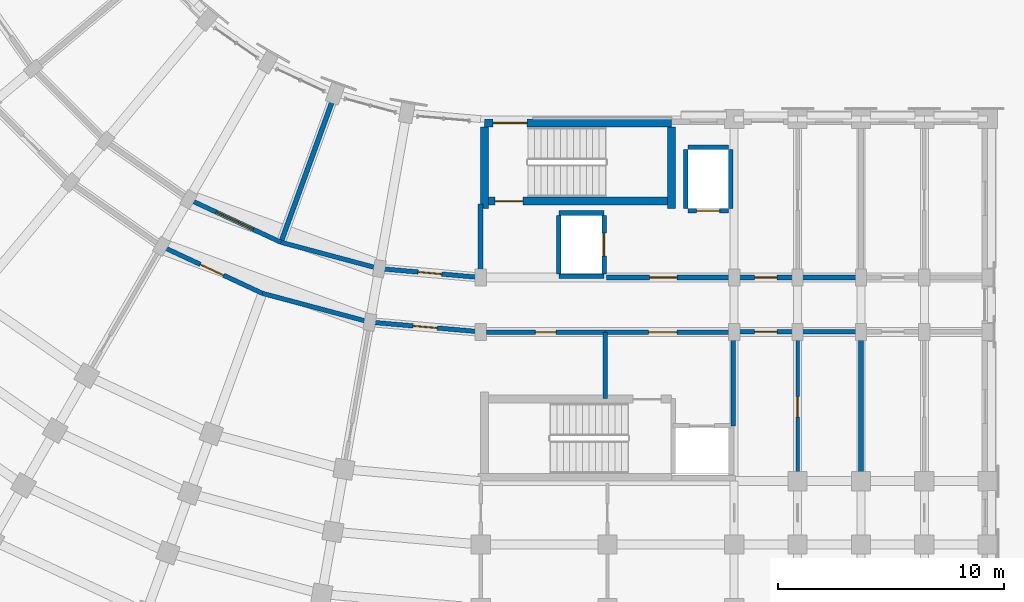
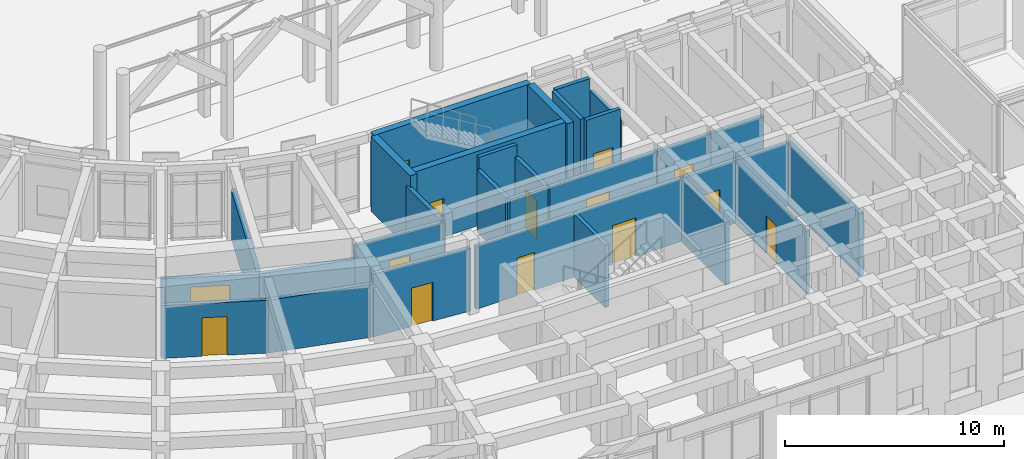
# One storey, part 90 of 135: 31 walls, 14 doors, 14 openings.
"""IFC4 building model written with IfcOpenShell, lengths in metres."""

from ifc_helpers import new_model, si_unit, direction, frame, frame_2d, origin, place, context, subcontext, project, spatial, rectangle, extrude, material, layer, layer_set, type_object, element, fill, save


model = new_model("IFC4")

# Units and contexts
model_context = context("Model", 3, precision=1e-05, world=origin(), true_north=direction((0.0, 1.0)))
body_context = subcontext(model_context, "Body", "Model", "MODEL_VIEW")
ifc_project = project(units=[si_unit("LENGTHUNIT", "METRE"), si_unit("AREAUNIT", "SQUARE_METRE"), si_unit("VOLUMEUNIT", "CUBIC_METRE"), si_unit("PLANEANGLEUNIT", "RADIAN"), si_unit("MASSUNIT", "GRAM", prefix="KILO")], contexts=[model_context])

# Site, building, storey
site_placement = place(None, origin())
site = spatial("IfcSite", under=ifc_project, at=site_placement, CompositionType="ELEMENT")
building_placement = place(site_placement, origin())
building = spatial("IfcBuilding", under=site, at=building_placement, Name="Kiranvali Square Residences", CompositionType="ELEMENT")
storey_placement = place(building_placement, origin())
storey = spatial("IfcBuildingStorey", under=building, at=storey_placement, Name="L00", CompositionType="ELEMENT", Elevation=0.0)

# Wall, opening, door
ifc_material_1 = material(Name="Autoclaved aerated concrete blockwork masonry", Category="masonry")
ifc_layer_1 = layer(ifc_material_1, 0.199951171875)
ifc_layer_set_1 = layer_set([ifc_layer_1], Name="Autoclaved aerated concrete blockwork masonry")
wall_type_1 = type_object("IfcWallType", Name="WL-COR-200", PredefinedType="STANDARD", material=ifc_layer_set_1)
wall_1_placement = place(storey_placement, frame((53.75, 22.39990234375, 0.0), z_axis=(0.0, 0.0, 1.0), x_axis=(1.0, 0.0, 0.0)))
wall_1 = element("IfcWall", 1, at=wall_1_placement, inside=storey, type_object=wall_type_1, Name="L00 architectural wall WL-L00-C-LL-COR", PredefinedType="STANDARD", context=body_context, shape_type="SweptSolid", body=[
    extrude(rectangle(XDim=5.60009765625, YDim=0.199951171875, at=frame_2d((2.800048828125, 0.0))), origin(), (0.0, 0.0, 1.0), 3.491943359375),
])
opening_1_placement = place(wall_1_placement, frame((1.909912109375, 0.0, 0.0)))
opening_1 = element("IfcOpeningElement", 2, at=opening_1_placement, cuts=wall_1, Name="Opening FD-COR-60", PredefinedType="OPENING", context=body_context, shape_type="SweptSolid", body=[
    extrude(rectangle(XDim=1.219970703125, YDim=2.14990234375, at=frame_2d((0.60986328125, 1.074951171875))), frame((0.0, 0.10986328125, 0.0), z_axis=(0.0, -1.0, 0.0), x_axis=(1.0, 0.0, 0.0)), (0.0, 0.0, 1.0), 0.219970703125),
])
ifc_material_2 = material(Name="Fire-rated acoustic hardwood and mineral-core door assembly", Category="wood")
door_type_1 = type_object("IfcDoorType", Name="DR-FD60-1200", OperationType="NOTDEFINED", PredefinedType="DOOR", material=ifc_material_2)
door_1_placement = place(opening_1_placement, frame((1.219970703125, 0.0, 0.0), z_axis=(0.0, 0.0, 1.0), x_axis=(-1.0, 0.0, 0.0)))
door_1 = element("IfcDoor", 3, at=door_1_placement, inside=storey, type_object=door_type_1, Name="L00 door DR-L00-1744 (DR-FD60-1200)", OperationType="SINGLE_SWING_RIGHT", OverallHeight=2.14990234375, OverallWidth=1.219970703125, PredefinedType="DOOR", context=body_context, shape_type="SweptSolid", body=[
    extrude(rectangle(XDim=1.219970703125, YDim=2.14990234375, at=frame_2d((0.60986328125, 1.074951171875))), frame((0.0, 0.02490234375, 0.0), z_axis=(0.0, -1.0, 0.0), x_axis=(1.0, 0.0, 0.0)), (0.0, 0.0, 1.0), 0.050048828125),
])
fill(opening_1, door_1)

wall_2_placement = place(storey_placement, frame((59.39990234375, 22.39990234375, 0.0), z_axis=(0.0, 0.0, 1.0), x_axis=(1.0, 0.0, 0.0)))
wall_2 = element("IfcWall", 4, at=wall_2_placement, inside=storey, type_object=wall_type_1, Name="L00 architectural wall WL-L00-C-A1CI-0", PredefinedType="STANDARD", context=body_context, shape_type="SweptSolid", body=[
    extrude(rectangle(XDim=2.800048828125, YDim=0.199951171875, at=frame_2d((1.39990234375, 0.0))), origin(), (0.0, 0.0, 1.0), 3.491943359375),
])
opening_2_placement = place(wall_2_placement, frame((0.89990234375, 0.0, 0.0)))
opening_2 = element("IfcOpeningElement", 5, at=opening_2_placement, cuts=wall_2, Name="Opening FD-APT-60", PredefinedType="OPENING", context=body_context, shape_type="SweptSolid", body=[
    extrude(rectangle(XDim=1.0, YDim=2.14990234375, at=frame_2d((0.5, 1.074951171875))), frame((0.0, 0.10986328125, 0.0), z_axis=(0.0, -1.0, 0.0), x_axis=(1.0, 0.0, 0.0)), (0.0, 0.0, 1.0), 0.219970703125),
])
door_type_2 = type_object("IfcDoorType", Name="DR-APT-1000", OperationType="NOTDEFINED", PredefinedType="DOOR", material=ifc_material_2)
door_2_placement = place(opening_2_placement, frame((1.0, 0.0, 0.0), z_axis=(0.0, 0.0, 1.0), x_axis=(-1.0, 0.0, 0.0)))
door_2 = element("IfcDoor", 6, at=door_2_placement, inside=storey, type_object=door_type_2, Name="L00 door DR-L00-1748 (DR-APT-1000)", OperationType="SINGLE_SWING_RIGHT", OverallHeight=2.14990234375, OverallWidth=1.0, PredefinedType="DOOR", context=body_context, shape_type="SweptSolid", body=[
    extrude(rectangle(XDim=1.0, YDim=2.14990234375, at=frame_2d((0.5, 1.074951171875))), frame((0.0, 0.02490234375, 0.0), z_axis=(0.0, -1.0, 0.0), x_axis=(1.0, 0.0, 0.0)), (0.0, 0.0, 1.0), 0.050048828125),
])
fill(opening_2, door_2)

wall_3_placement = place(storey_placement, frame((59.39990234375, 20.0, 0.0), z_axis=(0.0, 0.0, 1.0), x_axis=(1.0, 0.0, 0.0)))
wall_3 = element("IfcWall", 7, at=wall_3_placement, inside=storey, type_object=wall_type_1, Name="L00 architectural wall WL-L00-C-A1CO-0", PredefinedType="STANDARD", context=body_context, shape_type="SweptSolid", body=[
    extrude(rectangle(XDim=2.800048828125, YDim=0.199951171875, at=frame_2d((1.39990234375, 0.0))), origin(), (0.0, 0.0, 1.0), 3.491943359375),
])
opening_3_placement = place(wall_3_placement, frame((0.89990234375, 0.0, 0.0)))
opening_3 = element("IfcOpeningElement", 8, at=opening_3_placement, cuts=wall_3, Name="Opening FD-APT-60", PredefinedType="OPENING", context=body_context, shape_type="SweptSolid", body=[
    extrude(rectangle(XDim=1.0, YDim=2.14990234375, at=frame_2d((0.5, 1.074951171875))), frame((0.0, 0.10986328125, 0.0), z_axis=(0.0, -1.0, 0.0), x_axis=(1.0, 0.0, 0.0)), (0.0, 0.0, 1.0), 0.219970703125),
])
door_3_placement = place(opening_3_placement, frame((1.0, 0.0, 0.0), z_axis=(0.0, 0.0, 1.0), x_axis=(-1.0, 0.0, 0.0)))
door_3 = element("IfcDoor", 9, at=door_3_placement, inside=storey, type_object=door_type_2, Name="L00 door DR-L00-1750 (DR-APT-1000)", OperationType="SINGLE_SWING_RIGHT", OverallHeight=2.14990234375, OverallWidth=1.0, PredefinedType="DOOR", context=body_context, shape_type="SweptSolid", body=[
    extrude(rectangle(XDim=1.0, YDim=2.14990234375, at=frame_2d((0.5, 1.074951171875))), frame((0.0, 0.02490234375, 0.0), z_axis=(0.0, -1.0, 0.0), x_axis=(1.0, 0.0, 0.0)), (0.0, 0.0, 1.0), 0.050048828125),
])
fill(opening_3, door_3)

# Walls
for number, where, z_axis, x_axis, name in (
    (10, (62.199951171875, 22.39990234375, 0.0), (0.0, 0.0, 1.0), (1.0, 0.0, 0.0), "L00 architectural wall WL-L00-C-A1CI-1"),
    (11, (62.199951171875, 20.0, 0.0), (0.0, 0.0, 1.0), (1.0, 0.0, 0.0), "L00 architectural wall WL-L00-C-A1CO-1"),
):
    element("IfcWall", number, at=place(storey_placement, frame(where, z_axis=z_axis, x_axis=x_axis)), inside=storey, type_object=wall_type_1, Name=name, PredefinedType="STANDARD", context=body_context, shape_type="SweptSolid", body=[
        extrude(rectangle(XDim=2.800048828125, YDim=0.199951171875, at=frame_2d((1.39990234375, 0.0))), origin(), (0.0, 0.0, 1.0), 3.491943359375),
    ])

# Wall, opening, door
wall_4_placement = place(storey_placement, frame((48.199951171875, 22.39990234375, 0.0), z_axis=(0.0, 0.0, 1.0), x_axis=(-0.996191949488, 0.087187153726, 0.0)))
wall_4 = element("IfcWall", 12, at=wall_4_placement, inside=storey, type_object=wall_type_1, Name="L00 architectural wall WL-L00-C-CCI-0", PredefinedType="STANDARD", context=body_context, shape_type="SweptSolid", body=[
    extrude(rectangle(XDim=4.4970703125, YDim=0.199951171875, at=frame_2d((2.24853515625, 0.0))), origin(), (0.0, 0.0, 1.0), 3.491943359375),
])
opening_4_placement = place(wall_4_placement, frame((1.728515625, 0.0, 0.0)))
opening_4 = element("IfcOpeningElement", 13, at=opening_4_placement, cuts=wall_4, Name="Opening FD-APT-60B", PredefinedType="OPENING", context=body_context, shape_type="SweptSolid", body=[
    extrude(rectangle(XDim=1.0400390625, YDim=2.14990234375, at=frame_2d((0.52001953125, 1.074951171875))), frame((0.0, 0.10986328125, 0.0), z_axis=(0.0, -1.0, 0.0), x_axis=(1.0, 0.0, 0.0)), (0.0, 0.0, 1.0), 0.219970703125),
])
door_type_3 = type_object("IfcDoorType", Name="DR-APT-1040", OperationType="NOTDEFINED", PredefinedType="DOOR", material=ifc_material_2)
door_4_placement = place(opening_4_placement, origin())
door_4 = element("IfcDoor", 14, at=door_4_placement, inside=storey, type_object=door_type_3, Name="L00 door DR-L00-1773 (DR-APT-1040)", OperationType="SINGLE_SWING_LEFT", OverallHeight=2.14990234375, OverallWidth=1.0400390625, PredefinedType="DOOR", context=body_context, shape_type="SweptSolid", body=[
    extrude(rectangle(XDim=1.0400390625, YDim=2.14990234375, at=frame_2d((0.52001953125, 1.074951171875))), frame((0.0, 0.02490234375, 0.0), z_axis=(0.0, -1.0, 0.0), x_axis=(1.0, 0.0, 0.0)), (0.0, 0.0, 1.0), 0.050048828125),
])
fill(opening_4, door_4)

wall_5_placement = place(storey_placement, frame((48.199951171875, 20.0, 0.0), z_axis=(0.0, 0.0, 1.0), x_axis=(-0.996193663584, 0.087167566415, 0.0)))
wall_5 = element("IfcWall", 15, at=wall_5_placement, inside=storey, type_object=wall_type_1, Name="L00 architectural wall WL-L00-C-CCO-0", PredefinedType="STANDARD", context=body_context, shape_type="SweptSolid", body=[
    extrude(rectangle(XDim=4.91552734375, YDim=0.199951171875, at=frame_2d((2.457763671875, 0.0))), origin(), (0.0, 0.0, 1.0), 3.491943359375),
])
opening_5_placement = place(wall_5_placement, frame((1.917724609375, 0.0, 0.0)))
opening_5 = element("IfcOpeningElement", 16, at=opening_5_placement, cuts=wall_5, Name="Opening FD-APT-60C", PredefinedType="OPENING", context=body_context, shape_type="SweptSolid", body=[
    extrude(rectangle(XDim=1.080078125, YDim=2.14990234375, at=frame_2d((0.5400390625, 1.074951171875))), frame((0.0, 0.10986328125, 0.0), z_axis=(0.0, -1.0, 0.0), x_axis=(1.0, 0.0, 0.0)), (0.0, 0.0, 1.0), 0.219970703125),
])
door_type_4 = type_object("IfcDoorType", Name="DR-APT-1080", OperationType="NOTDEFINED", PredefinedType="DOOR", material=ifc_material_2)
door_5_placement = place(opening_5_placement, origin())
door_5 = element("IfcDoor", 17, at=door_5_placement, inside=storey, type_object=door_type_4, Name="L00 door DR-L00-1769 (DR-APT-1080)", OperationType="SINGLE_SWING_LEFT", OverallHeight=2.14990234375, OverallWidth=1.080078125, PredefinedType="DOOR", context=body_context, shape_type="SweptSolid", body=[
    extrude(rectangle(XDim=1.080078125, YDim=2.14990234375, at=frame_2d((0.5400390625, 1.074951171875))), frame((0.0, 0.02490234375, 0.0), z_axis=(0.0, -1.0, 0.0), x_axis=(1.0, 0.0, 0.0)), (0.0, 0.0, 1.0), 0.050048828125),
])
fill(opening_5, door_5)

# Walls
wall_6_placement = place(storey_placement, frame((43.719970703125, 22.7919921875, 0.0), z_axis=(0.0, 0.0, 1.0), x_axis=(-0.965934240054, 0.258787642463, 0.0)))
element("IfcWall", 18, at=wall_6_placement, inside=storey, type_object=wall_type_1, Name="L00 architectural wall WL-L00-C-CCI-1", PredefinedType="STANDARD", context=body_context, shape_type="SweptSolid", body=[
    extrude(rectangle(XDim=4.497314453125, YDim=0.199951171875, at=frame_2d((2.24853515625, 0.0))), origin(), (0.0, 0.0, 1.0), 2.741943359375),
])
wall_7_placement = place(storey_placement, frame((43.30322265625, 20.428466796875, 0.0), z_axis=(0.0, 0.0, 1.0), x_axis=(-0.965930095386, 0.258803112091, 0.0)))
element("IfcWall", 19, at=wall_7_placement, inside=storey, type_object=wall_type_1, Name="L00 architectural wall WL-L00-C-CCO-1", PredefinedType="STANDARD", context=body_context, shape_type="SweptSolid", body=[
    extrude(rectangle(XDim=4.915771484375, YDim=0.199951171875, at=frame_2d((2.4580078125, 0.0))), origin(), (0.0, 0.0, 1.0), 2.94189453125),
])

# Wall, opening, door
wall_8_placement = place(storey_placement, frame((39.3759765625, 23.955810546875, 0.0), z_axis=(0.0, 0.0, 1.0), x_axis=(-0.906307919131, 0.422617978463, 0.0)))
wall_8 = element("IfcWall", 20, at=wall_8_placement, inside=storey, type_object=wall_type_1, Name="L00 architectural wall WL-L00-C-CCI-2", PredefinedType="STANDARD", context=body_context, shape_type="SweptSolid", body=[
    extrude(rectangle(XDim=4.497314453125, YDim=0.199951171875, at=frame_2d((2.24853515625, 0.0))), origin(), (0.0, 0.0, 1.0), 2.741943359375),
])
opening_6_placement = place(wall_8_placement, frame((1.3486328125, 0.0, 0.0)))
opening_6 = element("IfcOpeningElement", 21, at=opening_6_placement, cuts=wall_8, Name="Opening ED-GLZ-180", PredefinedType="OPENING", context=body_context, shape_type="SweptSolid", body=[
    extrude(rectangle(XDim=1.800048828125, YDim=2.199951171875, at=frame_2d((0.89990234375, 1.10009765625))), frame((0.0, 0.10986328125, 0.0), z_axis=(0.0, -1.0, 0.0), x_axis=(1.0, 0.0, 0.0)), (0.0, 0.0, 1.0), 0.219970703125),
])
ifc_material_3 = material(Name="Anodised bronze aluminium framing", Category="aluminium")
door_type_5 = type_object("IfcDoorType", Name="DR-GLZ-1800", OperationType="DOUBLE_DOOR_SINGLE_SWING", PredefinedType="DOOR", material=ifc_material_3)
door_6_placement = place(opening_6_placement, origin())
door_6 = element("IfcDoor", 22, at=door_6_placement, inside=storey, type_object=door_type_5, Name="L00 door DR-L00-1774 (DR-GLZ-1800)", OperationType="DOUBLE_DOOR_SINGLE_SWING", OverallHeight=2.199951171875, OverallWidth=1.800048828125, PredefinedType="DOOR", context=body_context, shape_type="SweptSolid", body=[
    extrude(rectangle(XDim=1.800048828125, YDim=2.199951171875, at=frame_2d((0.89990234375, 1.10009765625))), frame((0.0, 0.02490234375, 0.0), z_axis=(0.0, -1.0, 0.0), x_axis=(1.0, 0.0, 0.0)), (0.0, 0.0, 1.0), 0.050048828125),
])
fill(opening_6, door_6)

wall_9_placement = place(storey_placement, frame((38.554931640625, 21.70068359375, 0.0), z_axis=(0.0, 0.0, 1.0), x_axis=(-0.906302381024, 0.422629854778, 0.0)))
wall_9 = element("IfcWall", 23, at=wall_9_placement, inside=storey, type_object=wall_type_1, Name="L00 architectural wall WL-L00-C-CCO-2", PredefinedType="STANDARD", context=body_context, shape_type="SweptSolid", body=[
    extrude(rectangle(XDim=4.915283203125, YDim=0.199951171875, at=frame_2d((2.45751953125, 0.0))), origin(), (0.0, 0.0, 1.0), 2.94189453125),
])
opening_7_placement = place(wall_9_placement, frame((1.8876953125, 0.0, 0.0)))
opening_7 = element("IfcOpeningElement", 24, at=opening_7_placement, cuts=wall_9, Name="Opening FD-APT-60D", PredefinedType="OPENING", context=body_context, shape_type="SweptSolid", body=[
    extrude(rectangle(XDim=1.139892578125, YDim=2.14990234375, at=frame_2d((0.56982421875, 1.074951171875))), frame((0.0, 0.10986328125, 0.0), z_axis=(0.0, -1.0, 0.0), x_axis=(1.0, 0.0, 0.0)), (0.0, 0.0, 1.0), 0.219970703125),
])
door_type_6 = type_object("IfcDoorType", Name="DR-APT-1140", OperationType="NOTDEFINED", PredefinedType="DOOR", material=ifc_material_2)
door_7_placement = place(opening_7_placement, frame((1.139892578125, 0.0, 0.0), z_axis=(0.0, 0.0, 1.0), x_axis=(-1.0, 0.0, 0.0)))
door_7 = element("IfcDoor", 25, at=door_7_placement, inside=storey, type_object=door_type_6, Name="L00 door DR-L00-1770 (DR-APT-1140)", OperationType="SINGLE_SWING_RIGHT", OverallHeight=2.14990234375, OverallWidth=1.139892578125, PredefinedType="DOOR", context=body_context, shape_type="SweptSolid", body=[
    extrude(rectangle(XDim=1.139892578125, YDim=2.14990234375, at=frame_2d((0.56982421875, 1.074951171875))), frame((0.0, 0.02490234375, 0.0), z_axis=(0.0, -1.0, 0.0), x_axis=(1.0, 0.0, 0.0)), (0.0, 0.0, 1.0), 0.050048828125),
])
fill(opening_7, door_7)

# Walls
ifc_layer_2 = layer(ifc_material_1, 0.219970703125)
ifc_layer_set_2 = layer_set([ifc_layer_2], Name="Autoclaved aerated concrete blockwork masonry")
wall_type_2 = type_object("IfcWallType", Name="WL-DEM-220", PredefinedType="STANDARD", material=ifc_layer_set_2)
wall_10_placement = place(storey_placement, frame((65.0, 19.949951171875, 0.0), z_axis=(0.0, 0.0, 1.0), x_axis=(0.0, -1.0, 0.0)))
element("IfcWall", 26, at=wall_10_placement, inside=storey, type_object=wall_type_2, Name="L00 architectural wall WL-L00-C-A1TO1-2", PredefinedType="STANDARD", context=body_context, shape_type="SweptSolid", body=[
    extrude(rectangle(XDim=6.530029296875, YDim=0.219970703125, at=frame_2d((3.26513671875, 0.0))), origin(), (0.0, 0.0, 1.0), 3.491943359375),
])
wall_11_placement = place(storey_placement, frame((48.199951171875, 25.64990234375, 0.0), z_axis=(0.0, 0.0, 1.0), x_axis=(0.0, -1.0, 0.0)))
element("IfcWall", 27, at=wall_11_placement, inside=storey, type_object=wall_type_2, Name="L00 architectural wall WL-L00-C-RADI-0", PredefinedType="STANDARD", context=body_context, shape_type="SweptSolid", body=[
    extrude(rectangle(XDim=3.199951171875, YDim=0.219970703125, at=frame_2d((1.60009765625, 0.0))), origin(), (0.0, 0.0, 1.0), 3.491943359375),
])
wall_12_placement = place(storey_placement, frame((41.70166015625, 30.345947265625, 0.0), z_axis=(0.0, 0.0, 1.0), x_axis=(-0.342010221662, -0.939696231917, 0.0)))
element("IfcWall", 28, at=wall_12_placement, inside=storey, type_object=wall_type_2, Name="L00 architectural wall WL-L00-C-RADI-2", PredefinedType="STANDARD", context=body_context, shape_type="SweptSolid", body=[
    extrude(rectangle(XDim=6.75, YDim=0.219970703125, at=frame_2d((3.375, 0.0))), origin(), (0.0, 0.0, 1.0), 2.741943359375),
])

# Wall, opening, door
ifc_layer_3 = layer(ifc_material_1, 0.199951171875)
ifc_layer_set_3 = layer_set([ifc_layer_3], Name="Autoclaved aerated concrete blockwork masonry")
wall_type_3 = type_object("IfcWallType", Name="WL-FFL-200", PredefinedType="STANDARD", material=ifc_layer_set_3)
wall_13_placement = place(storey_placement, frame((53.699951171875, 19.97998046875, 0.0), z_axis=(0.0, 0.0, 1.0), x_axis=(1.0, 0.0, 0.0)))
wall_13 = element("IfcWall", 29, at=wall_13_placement, inside=storey, type_object=wall_type_3, Name="L00 architectural wall WL-L00-C-FF-COR", PredefinedType="STANDARD", context=body_context, shape_type="SweptSolid", body=[
    extrude(rectangle(XDim=5.650146484375, YDim=0.199951171875, at=frame_2d((2.8251953125, 0.0))), origin(), (0.0, 0.0, 1.0), 3.491943359375),
])
opening_8_placement = place(wall_13_placement, frame((1.922607421875, 0.0, 0.0)))
opening_8 = element("IfcOpeningElement", 30, at=opening_8_placement, cuts=wall_13, Name="Opening FD-ST-120", PredefinedType="OPENING", context=body_context, shape_type="SweptSolid", body=[
    extrude(rectangle(XDim=1.239990234375, YDim=2.14990234375, at=frame_2d((0.6201171875, 1.074951171875))), frame((0.0, 0.10986328125, 0.0), z_axis=(0.0, -1.0, 0.0), x_axis=(1.0, 0.0, 0.0)), (0.0, 0.0, 1.0), 0.219970703125),
])
door_type_7 = type_object("IfcDoorType", Name="DR-FD120-1200", OperationType="NOTDEFINED", PredefinedType="DOOR", material=ifc_material_2)
door_8_placement = place(opening_8_placement, frame((1.239990234375, 0.0, 0.0), z_axis=(0.0, 0.0, 1.0), x_axis=(-1.0, 0.0, 0.0)))
door_8 = element("IfcDoor", 31, at=door_8_placement, inside=storey, type_object=door_type_7, Name="L00 door DR-L00-1734 (DR-FD120-1200)", OperationType="SINGLE_SWING_RIGHT", OverallHeight=2.14990234375, OverallWidth=1.239990234375, PredefinedType="DOOR", context=body_context, shape_type="SweptSolid", body=[
    extrude(rectangle(XDim=1.239990234375, YDim=2.14990234375, at=frame_2d((0.6201171875, 1.074951171875))), frame((0.0, 0.02490234375, 0.0), z_axis=(0.0, -1.0, 0.0), x_axis=(1.0, 0.0, 0.0)), (0.0, 0.0, 1.0), 0.050048828125),
])
fill(opening_8, door_8)

# Walls
wall_14_placement = place(storey_placement, frame((53.699951171875, 19.97998046875, 0.0), z_axis=(0.0, 0.0, 1.0), x_axis=(0.0, -1.0, 0.0)))
element("IfcWall", 32, at=wall_14_placement, inside=storey, type_object=wall_type_3, Name="L00 architectural wall WL-L00-C-FF-DIV", PredefinedType="STANDARD", context=body_context, shape_type="SweptSolid", body=[
    extrude(rectangle(XDim=2.929931640625, YDim=0.199951171875, at=frame_2d((1.46484375, 0.0))), origin(), (0.0, 0.0, 1.0), 3.491943359375),
])
wall_15_placement = place(storey_placement, frame((59.35009765625, 19.97998046875, 0.0), z_axis=(0.0, 0.0, 1.0), x_axis=(0.0, -1.0, 0.0)))
element("IfcWall", 33, at=wall_15_placement, inside=storey, type_object=wall_type_3, Name="L00 architectural wall WL-L00-C-FF-END", PredefinedType="STANDARD", context=body_context, shape_type="SweptSolid", body=[
    extrude(rectangle(XDim=4.1298828125, YDim=0.199951171875, at=frame_2d((2.06494140625, 0.0))), origin(), (0.0, 0.0, 1.0), 3.491943359375),
])

# Wall, opening, door
ifc_material_4 = material(Name="Acoustic gypsum board drylined partition", Category="gypsum")
ifc_layer_4 = layer(ifc_material_4, 0.14990234375)
ifc_layer_set_4 = layer_set([ifc_layer_4], Name="Acoustic gypsum board drylined partition")
wall_type_4 = type_object("IfcWallType", Name="WL-PRT-150", PredefinedType="PARTITIONING", material=ifc_layer_set_4)
wall_16_placement = place(storey_placement, frame((62.199951171875, 19.949951171875, 0.0), z_axis=(0.0, 0.0, 1.0), x_axis=(0.0, -1.0, 0.0)))
wall_16 = element("IfcWall", 34, at=wall_16_placement, inside=storey, type_object=wall_type_4, Name="L00 architectural wall WL-L00-C-A1TO1-1", PredefinedType="PARTITIONING", context=body_context, shape_type="SweptSolid", body=[
    extrude(rectangle(XDim=6.530029296875, YDim=0.14990234375, at=frame_2d((3.26513671875, 0.0))), origin(), (0.0, 0.0, 1.0), 3.491943359375),
])
opening_9_placement = place(wall_16_placement, frame((2.81494140625, 0.0, 0.0)))
opening_9 = element("IfcOpeningElement", 35, at=opening_9_placement, cuts=wall_16, Name="Opening ID-1", PredefinedType="OPENING", context=body_context, shape_type="SweptSolid", body=[
    extrude(rectangle(XDim=0.89990234375, YDim=2.10009765625, at=frame_2d((0.449951171875, 1.050048828125))), frame((0.0, 0.0849609375, 0.0), z_axis=(0.0, -1.0, 0.0), x_axis=(1.0, 0.0, 0.0)), (0.0, 0.0, 1.0), 0.169921875),
])
ifc_material_5 = material(Name="Solid seasoned teak hardwood joinery", Category="wood")
door_type_8 = type_object("IfcDoorType", Name="DR-INT-900", OperationType="NOTDEFINED", PredefinedType="DOOR", material=ifc_material_5)
door_9_placement = place(opening_9_placement, frame((0.89990234375, 0.0, 0.0), z_axis=(0.0, 0.0, 1.0), x_axis=(-1.0, 0.0, 0.0)))
door_9 = element("IfcDoor", 36, at=door_9_placement, inside=storey, type_object=door_type_8, Name="L00 door DR-L00-1758 (DR-INT-900)", OperationType="SINGLE_SWING_RIGHT", OverallHeight=2.10009765625, OverallWidth=0.89990234375, PredefinedType="DOOR", context=body_context, shape_type="SweptSolid", body=[
    extrude(rectangle(XDim=0.89990234375, YDim=2.10009765625, at=frame_2d((0.449951171875, 1.050048828125))), frame((0.0, 0.02490234375, 0.0), z_axis=(0.0, -1.0, 0.0), x_axis=(1.0, 0.0, 0.0)), (0.0, 0.0, 1.0), 0.050048828125),
])
fill(opening_9, door_9)

ifc_layer_5 = layer(ifc_material_1, 0.199951171875)
ifc_layer_set_5 = layer_set([ifc_layer_5], Name="Autoclaved aerated concrete blockwork masonry")
wall_type_5 = type_object("IfcWallType", Name="WL-SHF-200", PredefinedType="STANDARD", material=ifc_layer_set_5)
wall_17_placement = place(storey_placement, frame((48.449951171875, 19.97998046875, 0.0), z_axis=(0.0, 0.0, 1.0), x_axis=(1.0, 0.0, 0.0)))
wall_17 = element("IfcWall", 37, at=wall_17_placement, inside=storey, type_object=wall_type_5, Name="L00 architectural wall WL-L00-C-RSR-COR", PredefinedType="STANDARD", context=body_context, shape_type="SweptSolid", body=[
    extrude(rectangle(XDim=5.25, YDim=0.199951171875, at=frame_2d((2.625, 0.0))), origin(), (0.0, 0.0, 1.0), 3.491943359375),
])
opening_10_placement = place(wall_17_placement, frame((2.1650390625, 0.0, 0.0)))
opening_10 = element("IfcOpeningElement", 38, at=opening_10_placement, cuts=wall_17, Name="Opening FD-SVC-120", PredefinedType="OPENING", context=body_context, shape_type="SweptSolid", body=[
    extrude(rectangle(XDim=0.919921875, YDim=2.10009765625, at=frame_2d((0.4599609375, 1.050048828125))), frame((0.0, 0.10986328125, 0.0), z_axis=(0.0, -1.0, 0.0), x_axis=(1.0, 0.0, 0.0)), (0.0, 0.0, 1.0), 0.219970703125),
])
door_type_9 = type_object("IfcDoorType", Name="DR-SVC-900", OperationType="NOTDEFINED", PredefinedType="DOOR", material=ifc_material_2)
door_10_placement = place(opening_10_placement, origin())
door_10 = element("IfcDoor", 39, at=door_10_placement, inside=storey, type_object=door_type_9, Name="L00 door DR-L00-1735 (DR-SVC-900)", OperationType="SINGLE_SWING_LEFT", OverallHeight=2.10009765625, OverallWidth=0.919921875, PredefinedType="DOOR", context=body_context, shape_type="SweptSolid", body=[
    extrude(rectangle(XDim=0.919921875, YDim=2.10009765625, at=frame_2d((0.4599609375, 1.050048828125))), frame((0.0, 0.02490234375, 0.0), z_axis=(0.0, -1.0, 0.0), x_axis=(1.0, 0.0, 0.0)), (0.0, 0.0, 1.0), 0.050048828125),
])
fill(opening_10, door_10)

# Walls
wall_18_placement = place(storey_placement, frame((57.25, 28.050048828125, 0.0), z_axis=(0.0, 0.0, 1.0), x_axis=(0.0, -1.0, 0.0)))
element("IfcWall", 40, at=wall_18_placement, inside=storey, type_object=wall_type_5, Name="L00 architectural wall WL-L00-C-LP1-S1", PredefinedType="STANDARD", context=body_context, shape_type="SweptSolid", body=[
    extrude(rectangle(XDim=2.60009765625, YDim=0.199951171875, at=frame_2d((1.300048828125, 0.0))), origin(), (0.0, 0.0, 1.0), 4.14990234375),
])
wall_19_placement = place(storey_placement, frame((59.25, 28.050048828125, 0.0), z_axis=(0.0, 0.0, 1.0), x_axis=(0.0, -1.0, 0.0)))
element("IfcWall", 41, at=wall_19_placement, inside=storey, type_object=wall_type_5, Name="L00 architectural wall WL-L00-C-LP1-B", PredefinedType="STANDARD", context=body_context, shape_type="SweptSolid", body=[
    extrude(rectangle(XDim=2.60009765625, YDim=0.199951171875, at=frame_2d((1.300048828125, 0.0))), origin(), (0.0, 0.0, 1.0), 3.491943359375),
])
wall_20_placement = place(storey_placement, frame((57.35009765625, 28.14990234375, 0.0), z_axis=(0.0, 0.0, 1.0), x_axis=(1.0, 0.0, 0.0)))
element("IfcWall", 42, at=wall_20_placement, inside=storey, type_object=wall_type_5, Name="L00 architectural wall WL-L00-C-LP1-S2", PredefinedType="STANDARD", context=body_context, shape_type="SweptSolid", body=[
    extrude(rectangle(XDim=1.7998046875, YDim=0.199951171875, at=frame_2d((0.89990234375, 0.0))), origin(), (0.0, 0.0, 1.0), 4.14990234375),
])

# Wall, opening, door
wall_21_placement = place(storey_placement, frame((57.35009765625, 25.35009765625, 0.0), z_axis=(0.0, 0.0, 1.0), x_axis=(1.0, 0.0, 0.0)))
wall_21 = element("IfcWall", 43, at=wall_21_placement, inside=storey, type_object=wall_type_5, Name="L00 architectural wall WL-L00-C-LP1-F", PredefinedType="STANDARD", context=body_context, shape_type="SweptSolid", body=[
    extrude(rectangle(XDim=1.7998046875, YDim=0.199951171875, at=frame_2d((0.89990234375, 0.0))), origin(), (0.0, 0.0, 1.0), 4.14990234375),
])
opening_11_placement = place(wall_21_placement, frame((0.389892578125, 0.0, 0.0)))
opening_11 = element("IfcOpeningElement", 44, at=opening_11_placement, cuts=wall_21, Name="Opening LD-PAX-100", PredefinedType="OPENING", context=body_context, shape_type="SweptSolid", body=[
    extrude(rectangle(XDim=1.02001953125, YDim=2.14990234375, at=frame_2d((0.510009765625, 1.074951171875))), frame((0.0, 0.10986328125, 0.0), z_axis=(0.0, -1.0, 0.0), x_axis=(1.0, 0.0, 0.0)), (0.0, 0.0, 1.0), 0.219970703125),
])
door_type_10 = type_object("IfcDoorType", Name="DR-LIFT-1000", OperationType="SLIDING_TO_RIGHT", PredefinedType="DOOR", material=ifc_material_2)
door_11_placement = place(opening_11_placement, origin())
door_11 = element("IfcDoor", 45, at=door_11_placement, inside=storey, type_object=door_type_10, Name="L00 door DR-L00-1742 (DR-LIFT-1000)", OperationType="SLIDING_TO_RIGHT", OverallHeight=2.14990234375, OverallWidth=1.02001953125, PredefinedType="DOOR", context=body_context, shape_type="SweptSolid", body=[
    extrude(rectangle(XDim=1.02001953125, YDim=2.14990234375, at=frame_2d((0.510009765625, 1.074951171875))), frame((0.0, 0.02490234375, 0.0), z_axis=(0.0, -1.0, 0.0), x_axis=(1.0, 0.0, 0.0)), (0.0, 0.0, 1.0), 0.050048828125),
])
fill(opening_11, door_11)

# Walls
wall_22_placement = place(storey_placement, frame((51.64990234375, 25.25, 0.0), z_axis=(0.0, 0.0, 1.0), x_axis=(1.0, 0.0, 0.0)))
element("IfcWall", 46, at=wall_22_placement, inside=storey, type_object=wall_type_5, Name="L00 architectural wall WL-L00-C-LP2-S0", PredefinedType="STANDARD", context=body_context, shape_type="SweptSolid", body=[
    extrude(rectangle(XDim=2.0, YDim=0.199951171875, at=frame_2d((1.0, 0.0))), origin(), (0.0, 0.0, 1.0), 4.14990234375),
])
wall_23_placement = place(storey_placement, frame((51.64990234375, 22.449951171875, 0.0), z_axis=(0.0, 0.0, 1.0), x_axis=(1.0, 0.0, 0.0)))
element("IfcWall", 47, at=wall_23_placement, inside=storey, type_object=wall_type_5, Name="L00 architectural wall WL-L00-C-LP2-B", PredefinedType="STANDARD", context=body_context, shape_type="SweptSolid", body=[
    extrude(rectangle(XDim=2.0, YDim=0.199951171875, at=frame_2d((1.0, 0.0))), origin(), (0.0, 0.0, 1.0), 3.491943359375),
])
wall_24_placement = place(storey_placement, frame((51.64990234375, 25.14990234375, 0.0), z_axis=(0.0, 0.0, 1.0), x_axis=(0.0, -1.0, 0.0)))
element("IfcWall", 48, at=wall_24_placement, inside=storey, type_object=wall_type_5, Name="L00 architectural wall WL-L00-C-LP2-S1", PredefinedType="STANDARD", context=body_context, shape_type="SweptSolid", body=[
    extrude(rectangle(XDim=2.599853515625, YDim=0.199951171875, at=frame_2d((1.2998046875, 0.0))), origin(), (0.0, 0.0, 1.0), 3.491943359375),
])

# Wall, opening, door
wall_25_placement = place(storey_placement, frame((53.64990234375, 25.14990234375, 0.0), z_axis=(0.0, 0.0, 1.0), x_axis=(0.0, -1.0, 0.0)))
wall_25 = element("IfcWall", 49, at=wall_25_placement, inside=storey, type_object=wall_type_5, Name="L00 architectural wall WL-L00-C-LP2-F", PredefinedType="STANDARD", context=body_context, shape_type="SweptSolid", body=[
    extrude(rectangle(XDim=2.599853515625, YDim=0.199951171875, at=frame_2d((1.2998046875, 0.0))), origin(), (0.0, 0.0, 1.0), 3.491943359375),
])
opening_12_placement = place(wall_25_placement, frame((0.7900390625, 0.0, 0.0)))
opening_12 = element("IfcOpeningElement", 50, at=opening_12_placement, cuts=wall_25, Name="Opening LD-PAX-100", PredefinedType="OPENING", context=body_context, shape_type="SweptSolid", body=[
    extrude(rectangle(XDim=1.02001953125, YDim=2.14990234375, at=frame_2d((0.510009765625, 1.074951171875))), frame((0.0, 0.10986328125, 0.0), z_axis=(0.0, -1.0, 0.0), x_axis=(1.0, 0.0, 0.0)), (0.0, 0.0, 1.0), 0.219970703125),
])
door_12_placement = place(opening_12_placement, origin())
door_12 = element("IfcDoor", 51, at=door_12_placement, inside=storey, type_object=door_type_10, Name="L00 door DR-L00-1743 (DR-LIFT-1000)", OperationType="SLIDING_TO_RIGHT", OverallHeight=2.14990234375, OverallWidth=1.02001953125, PredefinedType="DOOR", context=body_context, shape_type="SweptSolid", body=[
    extrude(rectangle(XDim=1.02001953125, YDim=2.14990234375, at=frame_2d((0.510009765625, 1.074951171875))), frame((0.0, 0.02490234375, 0.0), z_axis=(0.0, -1.0, 0.0), x_axis=(1.0, 0.0, 0.0)), (0.0, 0.0, 1.0), 0.050048828125),
])
fill(opening_12, door_12)

ifc_material_6 = material(Name="Concrete M50 (50 MPa)", Category="concrete")
ifc_layer_6 = layer(ifc_material_6, 0.35009765625)
ifc_layer_set_6 = layer_set([ifc_layer_6], Name="Concrete M50 (50 MPa)")
wall_type_6 = type_object("IfcWallType", Name="WL-SHR-350", PredefinedType="SHEAR", material=ifc_layer_set_6)
wall_26_placement = place(storey_placement, frame((48.375, 29.22509765625, 0.0), z_axis=(0.0, 0.0, 1.0), x_axis=(1.0, 0.0, 0.0)))
wall_26 = element("IfcWall", 52, at=wall_26_placement, inside=storey, type_object=wall_type_6, Name="Block C core shear wall SW-C2-OUT-L00", PredefinedType="SHEAR", context=body_context, shape_type="SweptSolid", body=[
    extrude(rectangle(XDim=8.25, YDim=0.35009765625, at=frame_2d((4.125, 0.0))), origin(), (0.0, 0.0, 1.0), 4.14990234375),
])
opening_13_placement = place(wall_26_placement, frame((0.375, 0.0, 0.0)))
opening_13 = element("IfcOpeningElement", 53, at=opening_13_placement, cuts=wall_26, Name="Opening ED-EX-150", PredefinedType="OPENING", context=body_context, shape_type="SweptSolid", body=[
    extrude(rectangle(XDim=1.5, YDim=2.14990234375, at=frame_2d((0.75, 1.074951171875))), frame((0.0, 0.18505859375, 0.0), z_axis=(0.0, -1.0, 0.0), x_axis=(1.0, 0.0, 0.0)), (0.0, 0.0, 1.0), 0.3701171875),
])
door_type_11 = type_object("IfcDoorType", Name="DR-EXIT-1500", OperationType="NOTDEFINED", PredefinedType="DOOR", material=ifc_material_2)
door_13_placement = place(opening_13_placement, origin())
door_13 = element("IfcDoor", 54, at=door_13_placement, inside=storey, type_object=door_type_11, Name="L00 door DR-L00-1740 (DR-EXIT-1500)", OperationType="SINGLE_SWING_RIGHT", OverallHeight=2.14990234375, OverallWidth=1.5, PredefinedType="DOOR", context=body_context, shape_type="SweptSolid", body=[
    extrude(rectangle(XDim=1.5, YDim=2.14990234375, at=frame_2d((0.75, 1.074951171875))), frame((0.0, 0.02490234375, 0.0), z_axis=(0.0, -1.0, 0.0), x_axis=(1.0, 0.0, 0.0)), (0.0, 0.0, 1.0), 0.050048828125),
])
fill(opening_13, door_13)

wall_27_placement = place(storey_placement, frame((48.550048828125, 25.77490234375, 0.0), z_axis=(0.0, 0.0, 1.0), x_axis=(1.0, 0.0, 0.0)))
wall_27 = element("IfcWall", 55, at=wall_27_placement, inside=storey, type_object=wall_type_6, Name="Block C core shear wall SW-C2-IN-L00", PredefinedType="SHEAR", context=body_context, shape_type="SweptSolid", body=[
    extrude(rectangle(XDim=7.89990234375, YDim=0.35009765625, at=frame_2d((3.949951171875, 0.0))), origin(), (0.0, 0.0, 1.0), 4.14990234375),
])
opening_14_placement = place(wall_27_placement, frame((0.280029296875, 0.0, 0.0)))
opening_14 = element("IfcOpeningElement", 56, at=opening_14_placement, cuts=wall_27, Name="Opening FD-ST-120", PredefinedType="OPENING", context=body_context, shape_type="SweptSolid", body=[
    extrude(rectangle(XDim=1.239990234375, YDim=2.14990234375, at=frame_2d((0.6201171875, 1.074951171875))), frame((0.0, 0.18505859375, 0.0), z_axis=(0.0, -1.0, 0.0), x_axis=(1.0, 0.0, 0.0)), (0.0, 0.0, 1.0), 0.3701171875),
])
door_14_placement = place(opening_14_placement, frame((1.239990234375, 0.0, 0.0), z_axis=(0.0, 0.0, 1.0), x_axis=(-1.0, 0.0, 0.0)))
door_14 = element("IfcDoor", 57, at=door_14_placement, inside=storey, type_object=door_type_7, Name="L00 door DR-L00-1738 (DR-FD120-1200)", OperationType="SINGLE_SWING_RIGHT", OverallHeight=2.14990234375, OverallWidth=1.239990234375, PredefinedType="DOOR", context=body_context, shape_type="SweptSolid", body=[
    extrude(rectangle(XDim=1.239990234375, YDim=2.14990234375, at=frame_2d((0.6201171875, 1.074951171875))), frame((0.0, 0.02490234375, 0.0), z_axis=(0.0, -1.0, 0.0), x_axis=(1.0, 0.0, 0.0)), (0.0, 0.0, 1.0), 0.050048828125),
])
fill(opening_14, door_14)

# Walls
for number, where, z_axis, x_axis, name in (
    (58, (48.375, 29.050048828125, 0.0), (0.0, 0.0, 1.0), (0.0, -1.0, 0.0), "Block C core shear wall SW-C2-NEAR-L00"),
    (59, (56.625, 29.050048828125, 0.0), (0.0, 0.0, 1.0), (0.0, -1.0, 0.0), "Block C core shear wall SW-C2-FAR-L00"),
):
    element("IfcWall", number, at=place(storey_placement, frame(where, z_axis=z_axis, x_axis=x_axis)), inside=storey, type_object=wall_type_6, Name=name, PredefinedType="SHEAR", context=body_context, shape_type="SweptSolid", body=[
        extrude(rectangle(XDim=3.60009765625, YDim=0.35009765625, at=frame_2d((1.800048828125, 0.0))), origin(), (0.0, 0.0, 1.0), 4.14990234375),
    ])

save(model, "model.ifc")
